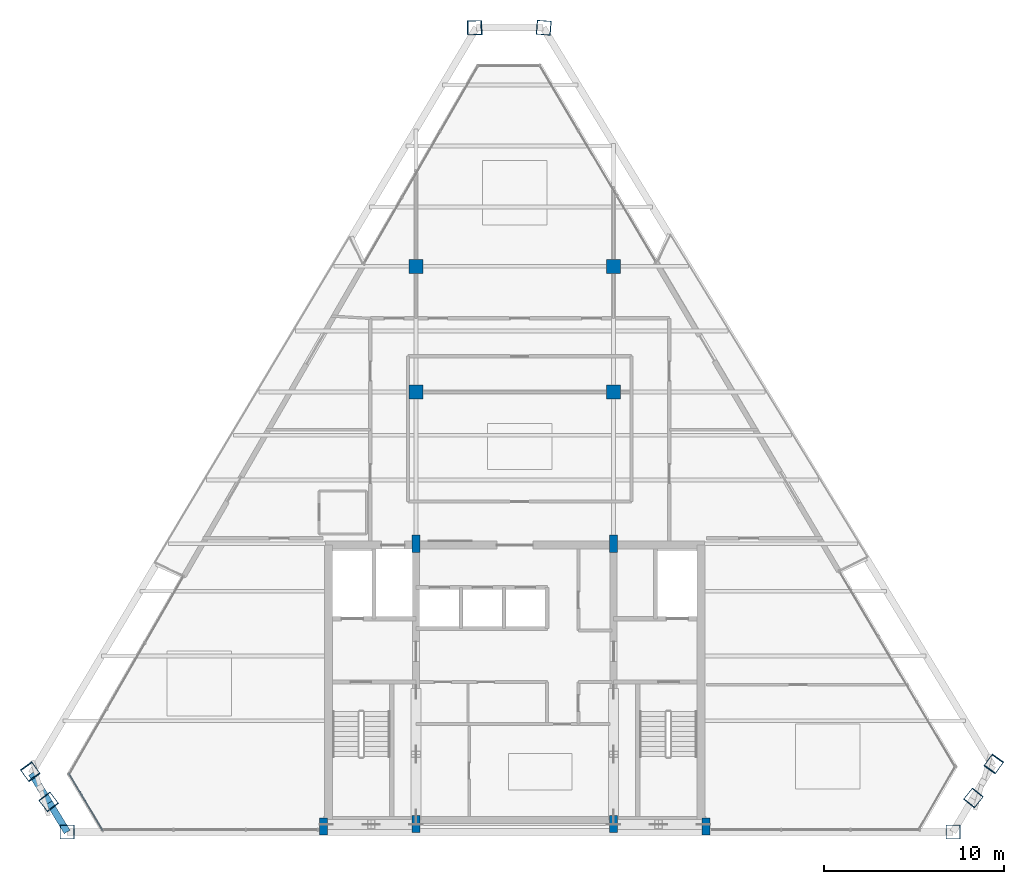
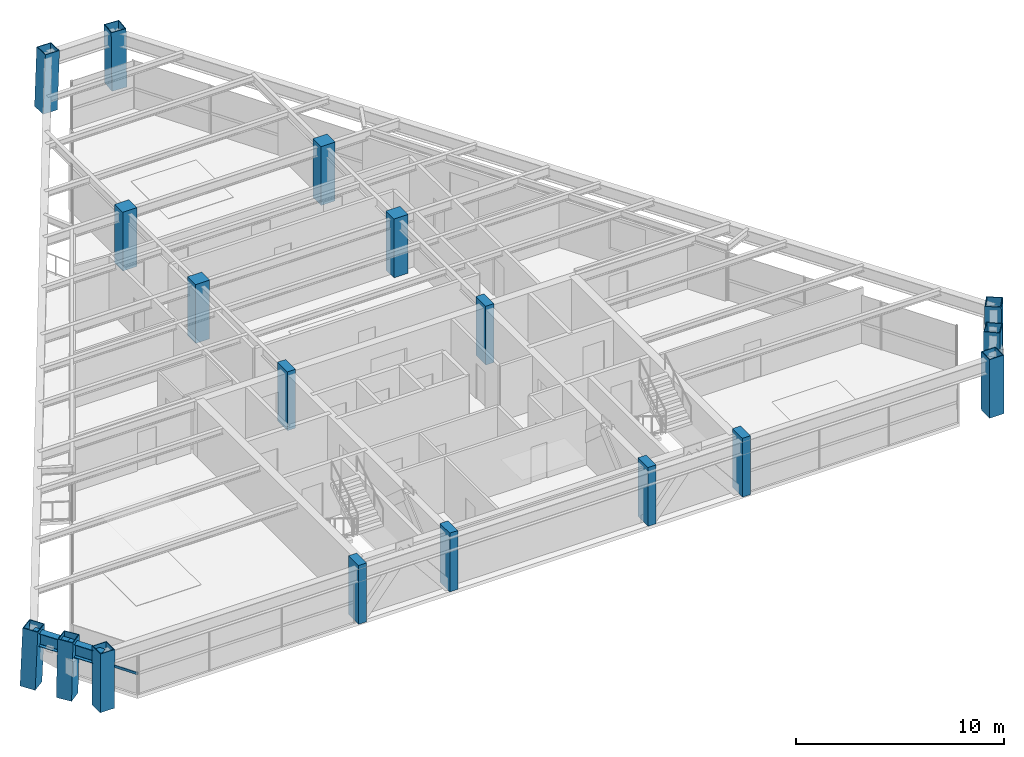
# One storey, part 1 of 13: 18 columns, 2 beams, 1 member, 1 element without a shape of its own.
"""IFC4 building model written with IfcOpenShell, lengths in metres."""

from ifc_helpers import new_model, si_unit, direction, frame, origin, origin_2d, place, context, subcontext, project, spatial, rectangle, hollow_rectangle, i_section, extrude, source, transform, mapped, material, material_profile, profile_set, type_object, type_shapes, element, aggregate, save


model = new_model("IFC4")

# Units and contexts
model_context = context("Model", 3, precision=1e-05, world=origin(), true_north=direction((0.0, 1.0)))
body_context = subcontext(model_context, "Body", "Model", "MODEL_VIEW")
ifc_project = project(units=[si_unit("LENGTHUNIT", "METRE"), si_unit("AREAUNIT", "SQUARE_METRE"), si_unit("VOLUMEUNIT", "CUBIC_METRE"), si_unit("PLANEANGLEUNIT", "RADIAN"), si_unit("MASSUNIT", "GRAM", prefix="KILO")], contexts=[model_context])

# Site, building, storey
site_placement = place(None, origin())
site = spatial("IfcSite", under=ifc_project, at=site_placement, CompositionType="ELEMENT")
building_placement = place(site_placement, origin())
building = spatial("IfcBuilding", under=site, at=building_placement, Name="Varnakhor Terracotta Tower", CompositionType="ELEMENT")
storey_placement = place(building_placement, frame((0.0, 0.0, 276.449951171875)))
storey = spatial("IfcBuildingStorey", under=building, at=storey_placement, Name="L72", CompositionType="ELEMENT", Elevation=276.449951171875)

# Columns
ifc_material_1 = material(Name="Concrete C50/60", Category="concrete")
ifc_material_profile_1 = material_profile(ifc_material_1, rectangle(XDim=0.449951171875, YDim=0.949951171875, at=origin_2d()), Name="RC PILASTER 950x450")
ifc_profile_set_1 = profile_set([ifc_material_profile_1], Name="Concrete C50/60")
column_type_1 = type_object("IfcColumnType", Name="COL-PIL-950x450", PredefinedType="PILASTER", material=ifc_profile_set_1)
shared_shape_1 = source(origin(), body_context, "Body", "SweptSolid", [
    extrude(rectangle(XDim=0.449951171875, YDim=0.949951171875, at=origin_2d()), origin(), (0.0, 0.0, 1.0), 3.449951171875),
])
for number, where, z_axis, x_axis, name in (
    (1, (-10.64990234375, 0.300048828125, 0.0), (0.0, 0.0, 1.0), (1.0, 0.0, 0.0), "L72 Core Pilaster CP1"),
    (2, (-5.5, 0.449951171875, 0.0), (0.0, 0.0, 1.0), (1.0, 0.0, 0.0), "L72 Core Pilaster CP2"),
    (3, (5.5, 0.449951171875, 0.0), (0.0, 0.0, 1.0), (1.0, 0.0, 0.0), "L72 Core Pilaster CP3"),
    (4, (10.64990234375, 0.300048828125, 0.0), (0.0, 0.0, 1.0), (1.0, 0.0, 0.0), "L72 Core Pilaster CP4"),
    (5, (-5.5, 16.050048828125, 0.0), (0.0, 0.0, 1.0), (1.0, 0.0, 0.0), "L72 Core Pilaster CP5"),
    (6, (5.5, 16.050048828125, 0.0), (0.0, 0.0, 1.0), (1.0, 0.0, 0.0), "L72 Core Pilaster CP6"),
):
    element("IfcColumn", number, at=place(storey_placement, frame(where, z_axis=z_axis, x_axis=x_axis)), inside=storey, type_object=column_type_1, Name=name, PredefinedType="PILASTER", context=body_context, shape_type="MappedRepresentation", body=[
        mapped(shared_shape_1, transform((0.0, 0.0, 0.0), scale=1.0)),
    ])
ifc_material_profile_2 = material_profile(ifc_material_1, rectangle(XDim=0.780029296875, YDim=0.780029296875, at=origin_2d()), Name="RC 780x780")
ifc_profile_set_2 = profile_set([ifc_material_profile_2], Name="Concrete C50/60")
column_type_2 = type_object("IfcColumnType", Name="COL-RC-780", PredefinedType="COLUMN", material=ifc_profile_set_2)
shared_shape_2 = source(origin(), body_context, "Body", "SweptSolid", [
    extrude(rectangle(XDim=0.780029296875, YDim=0.780029296875, at=origin_2d()), origin(), (0.0, 0.0, 1.0), 3.449951171875),
])
for number, where, z_axis, x_axis, name in (
    (7, (-5.5, 24.5, 0.0), (0.0, 0.0, 1.0), (1.0, 0.0, 0.0), "L72 Interior Tower Column IC1"),
    (8, (5.5, 24.5, 0.0), (0.0, 0.0, 1.0), (1.0, 0.0, 0.0), "L72 Interior Tower Column IC2"),
    (9, (-5.5, 31.5, 0.0), (0.0, 0.0, 1.0), (1.0, 0.0, 0.0), "L72 Interior Tower Column IC3"),
    (10, (5.5, 31.5, 0.0), (0.0, 0.0, 1.0), (1.0, 0.0, 0.0), "L72 Interior Tower Column IC4"),
):
    element("IfcColumn", number, at=place(storey_placement, frame(where, z_axis=z_axis, x_axis=x_axis)), inside=storey, type_object=column_type_2, Name=name, PredefinedType="COLUMN", context=body_context, shape_type="MappedRepresentation", body=[
        mapped(shared_shape_2, transform((0.0, 0.0, 0.0), scale=1.0)),
    ])
ifc_material_2 = material(Name="Steel S355", Category="steel")
ifc_material_profile_3 = material_profile(ifc_material_2, hollow_rectangle(XDim=0.800048828125, YDim=0.800048828125, WallThickness=0.0400390625, at=origin_2d()), Name="BOX 800x800x40")
ifc_profile_set_3 = profile_set([ifc_material_profile_3], Name="Steel S355")
column_type_3 = type_object("IfcColumnType", Name="COL-MEGA-800", PredefinedType="COLUMN", material=ifc_profile_set_3)
shared_shape_3 = source(origin(), body_context, "Body", "SweptSolid", [
    extrude(hollow_rectangle(XDim=0.800048828125, YDim=0.800048828125, WallThickness=0.0400390625, at=origin_2d()), origin(), (0.0, 0.0, 1.0), 3.44140625),
])
type_shapes(column_type_3, [shared_shape_3])
column_1_placement = place(storey_placement, frame((1.6181640625, 44.7841796875, 0.00439453125), z_axis=(-0.011138006702, 0.000851312614, 0.99993760809), x_axis=(-0.07621083252, -0.997091725473, 0.0)))
element("IfcColumn", 11, at=column_1_placement, inside=storey, type_object=column_type_3, Name="L72 Perimeter Mega-Column M5", PredefinedType="COLUMN", context=body_context, shape_type="MappedRepresentation", body=[
    mapped(shared_shape_3, transform((0.0, 0.0, 0.0), scale=1.0)),
])
shared_shape_4 = source(origin(), body_context, "Body", "SweptSolid", [
    extrude(hollow_rectangle(XDim=0.800048828125, YDim=0.800048828125, WallThickness=0.0400390625, at=origin_2d()), origin(), (0.0, 0.0, 1.0), 3.44189453125),
])
for number, where, z_axis, x_axis, name in (
    (12, (25.54638671875, 1.903564453125, 0.00439453125), (-0.012484203697, -0.015605254621, 0.999800290401), (0.780868809443, -0.624695047554, 0.0), "L72 Perimeter Mega-Column M3"),
    (13, (-25.96435546875, 1.687255859375, 0.00439453125), (0.012484033349, -0.016456225778, 0.999786648013), (0.796691270902, 0.604386481374, 0.0), "L72 Perimeter Mega-Column M8"),
):
    element("IfcColumn", number, at=place(storey_placement, frame(where, z_axis=z_axis, x_axis=x_axis)), inside=storey, type_object=column_type_3, Name=name, PredefinedType="COLUMN", context=body_context, shape_type="MappedRepresentation", body=[
        mapped(shared_shape_4, transform((0.0, 0.0, 0.0), scale=1.0)),
    ])
shared_shape_5 = source(origin(), body_context, "Body", "SweptSolid", [
    extrude(hollow_rectangle(XDim=0.800048828125, YDim=0.800048828125, WallThickness=0.0400390625, at=origin_2d()), origin(), (0.0, 0.0, 1.0), 3.443359375),
])
column_2_placement = place(storey_placement, frame((-2.258056640625, 44.7841796875, 0.00439453125), z_axis=(0.035026370838, 0.000850843016, 0.999386026224), x_axis=(-0.02428433422, 0.99970509207, 0.0)))
element("IfcColumn", 14, at=column_2_placement, inside=storey, type_object=column_type_3, Name="L72 Perimeter Mega-Column M6", PredefinedType="COLUMN", context=body_context, shape_type="MappedRepresentation", body=[
    mapped(shared_shape_5, transform((0.0, 0.0, 0.0), scale=1.0)),
])
shared_shape_6 = source(origin(), body_context, "Body", "SweptSolid", [
    extrude(hollow_rectangle(XDim=0.800048828125, YDim=0.800048828125, WallThickness=0.0400390625, at=origin_2d()), origin(), (0.0, 0.0, 1.0), 3.441162109375),
])
for number, where, z_axis, x_axis, name in (
    (15, (-24.93212890625, 0.0, 0.00439453125), (0.001206100577, 0.0, 0.99999927266), (1.0, 0.0, 0.0), "L72 Perimeter Mega-Column M1"),
    (16, (24.4091796875, 0.0, 0.00439453125), (-0.002695981689, 0.0, 0.999996365835), (0.0, -1.0, 0.0), "L72 Perimeter Mega-Column M2"),
):
    element("IfcColumn", number, at=place(storey_placement, frame(where, z_axis=z_axis, x_axis=x_axis)), inside=storey, type_object=column_type_3, Name=name, PredefinedType="COLUMN", context=body_context, shape_type="MappedRepresentation", body=[
        mapped(shared_shape_6, transform((0.0, 0.0, 0.0), scale=1.0)),
    ])
shared_shape_7 = source(origin(), body_context, "Body", "SweptSolid", [
    extrude(hollow_rectangle(XDim=0.800048828125, YDim=0.800048828125, WallThickness=0.0400390625, at=origin_2d()), origin(), (0.0, 0.0, 1.0), 3.443603515625),
])
column_3_placement = place(storey_placement, frame((26.68359375, 3.80712890625, 0.00439453125), z_axis=(-0.022190178876, -0.031193861679, 0.999267000834), x_axis=(0.814858129756, -0.579660442303, 0.0)))
element("IfcColumn", 17, at=column_3_placement, inside=storey, type_object=column_type_3, Name="L72 Perimeter Mega-Column M4", PredefinedType="COLUMN", context=body_context, shape_type="MappedRepresentation", body=[
    mapped(shared_shape_7, transform((0.0, 0.0, 0.0), scale=1.0)),
])
shared_shape_8 = source(origin(), body_context, "Body", "SweptSolid", [
    extrude(hollow_rectangle(XDim=0.800048828125, YDim=0.800048828125, WallThickness=0.0400390625, at=origin_2d()), origin(), (0.0, 0.0, 1.0), 3.444091796875),
])
column_4_placement = place(storey_placement, frame((-26.996337890625, 3.37451171875, 0.00439453125), z_axis=(0.023676932673, -0.03282161625, 0.999180736587), x_axis=(0.811002427073, 0.585042787565, 0.0)))
element("IfcColumn", 18, at=column_4_placement, inside=storey, type_object=column_type_3, Name="L72 Perimeter Mega-Column M7", PredefinedType="COLUMN", context=body_context, shape_type="MappedRepresentation", body=[
    mapped(shared_shape_8, transform((0.0, 0.0, 0.0), scale=1.0)),
])

# Beams
ifc_material_profile_4 = material_profile(ifc_material_2, i_section(OverallWidth=0.381103515625, OverallDepth=0.77294921875, WebThickness=0.01708984375, FlangeThickness=0.027099609375, FilletRadius=0.01806640625, at=origin_2d()), Name="W30X173")
ifc_profile_set_4 = profile_set([ifc_material_profile_4], Name="Steel S355")
beam_type = type_object("IfcBeamType", Name="BM-W30X173", PredefinedType="BEAM", material=ifc_profile_set_4)
shared_shape_9 = source(origin(), body_context, "Body", "SweptSolid", [
    extrude(i_section(OverallWidth=0.381103515625, OverallDepth=0.77294921875, WebThickness=0.01708984375, FlangeThickness=0.027099609375, FilletRadius=0.01806640625, at=origin_2d()), origin(), (0.0, 0.0, 1.0), 1.90966796875),
])
beam_1_placement = place(storey_placement, frame((-26.914794921875, 3.261474609375, 2.853515625), z_axis=(0.520218666406, -0.85403310189, 0.0), x_axis=(0.85403310189, 0.520218666406, 0.0)))
element("IfcBeam", 19, at=beam_1_placement, inside=storey, type_object=beam_type, Name="L72 Perimeter Spandrel 7", PredefinedType="BEAM", context=body_context, shape_type="MappedRepresentation", body=[
    mapped(shared_shape_9, transform((0.0, 0.0, 0.0), scale=1.0)),
])
shared_shape_10 = source(origin(), body_context, "Body", "SweptSolid", [
    extrude(i_section(OverallWidth=0.381103515625, OverallDepth=0.77294921875, WebThickness=0.01708984375, FlangeThickness=0.027099609375, FilletRadius=0.01806640625, at=origin_2d()), origin(), (0.0, 0.0, 1.0), 1.909423828125),
])
beam_2_placement = place(storey_placement, frame((-25.92138671875, 1.630615234375, 2.853515625), z_axis=(0.520275472836, -0.8539984967, 0.0), x_axis=(0.8539984967, 0.520275472836, 0.0)))
element("IfcBeam", 20, at=beam_2_placement, inside=storey, type_object=beam_type, Name="L72 Perimeter Spandrel 8", PredefinedType="BEAM", context=body_context, shape_type="MappedRepresentation", body=[
    mapped(shared_shape_10, transform((0.0, 0.0, 0.0), scale=1.0)),
])

# Curtain wall, member
ifc_material_3 = material(Name="Anodised Aluminium Curtain Wall System", Category="aluminium")
curtain_wall_type = type_object("IfcCurtainWallType", Name="CW-SYS-HOTEL-LOGGIA", PredefinedType="NOTDEFINED", material=ifc_material_3)
curtain_wall_placement = place(storey_placement, origin())
curtain_wall = element("IfcCurtainWall", 21, at=curtain_wall_placement, inside=storey, type_object=curtain_wall_type, Name="L72 Facet Curtain Wall 6", PredefinedType="NOTDEFINED")
ifc_material_4 = material(Name="Anodised Aluminium 6063-T6", Category="aluminium")
ifc_material_profile_5 = material_profile(ifc_material_4, rectangle(XDim=0.06494140625, YDim=0.14501953125, at=origin_2d()), Name="ALU TRANSOM 65x145")
ifc_profile_set_5 = profile_set([ifc_material_profile_5], Name="Anodised Aluminium 6063-T6")
member_type = type_object("IfcMemberType", Name="CWT-04", PredefinedType="USERDEFINED", material=ifc_profile_set_5)
shared_shape_11 = source(origin(), body_context, "Body", "SweptSolid", [
    extrude(rectangle(XDim=0.06494140625, YDim=0.14501953125, at=origin_2d()), origin(), (0.0, 0.0, 1.0), 3.6865234375),
])
member_placement = place(storey_placement, frame((-22.95361328125, 0.0869140625, 1.1845703125), z_axis=(-0.509657161647, 0.860377578498, 0.0), x_axis=(-0.860377578498, -0.509657161647, 0.0)))
member = element("IfcMember", 22, at=member_placement, type_object=member_type, Name="L72 Facet Curtain Wall 6 Transom 1", ObjectType="TRANSOM", PredefinedType="USERDEFINED", context=body_context, shape_type="MappedRepresentation", body=[
    mapped(shared_shape_11, transform((0.0, 0.0, 0.0), scale=1.0)),
])
aggregate(curtain_wall, [member])

save(model, "model.ifc")
